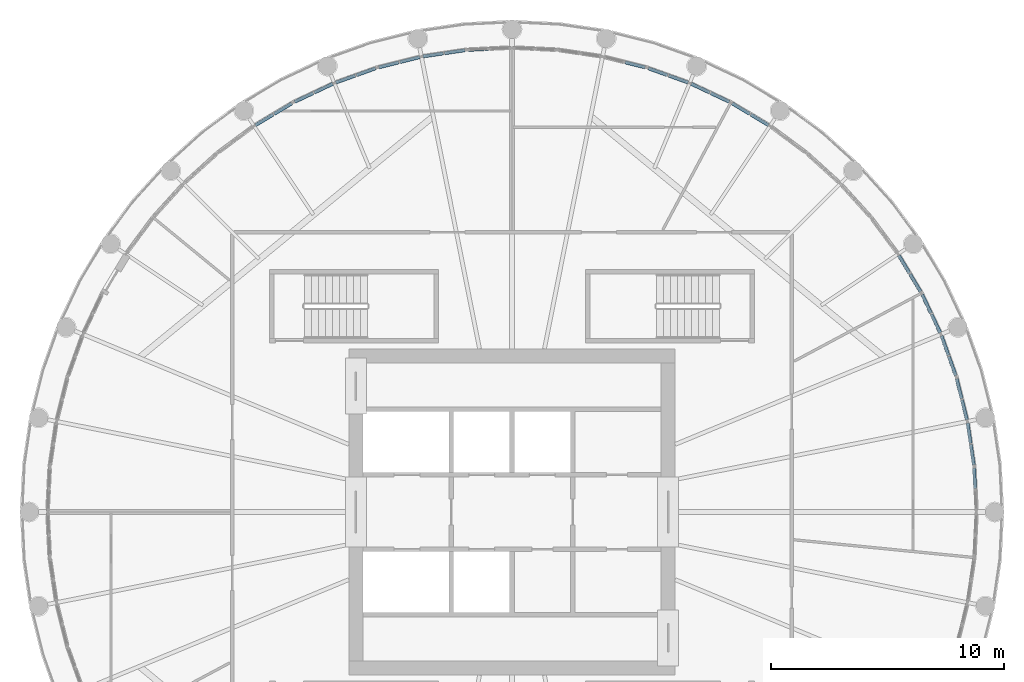
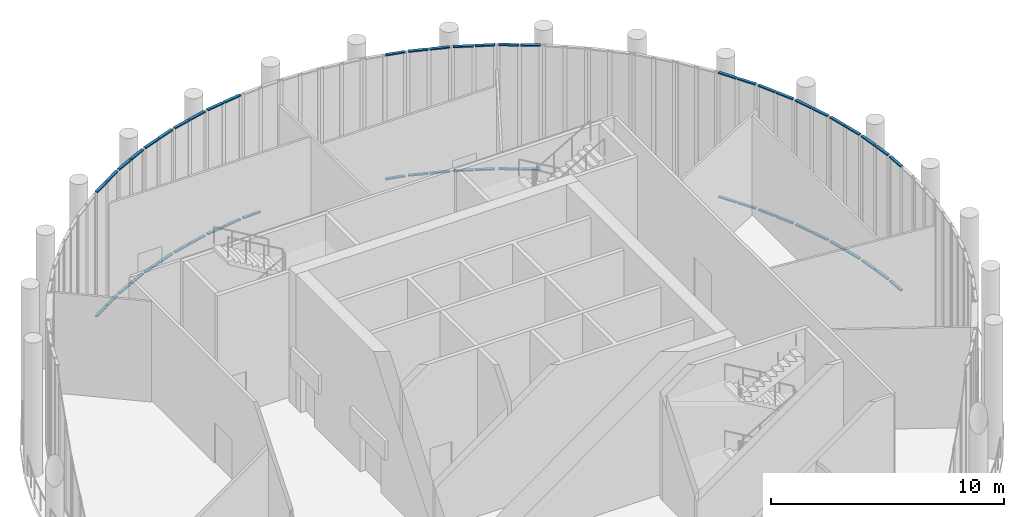
# One storey, part 11 of 21: 57 members, 16 elements without a shape of their own.
"""IFC4 building model written with IfcOpenShell, lengths in metres."""

from ifc_helpers import new_model, si_unit, direction, frame, origin, origin_2d, place, context, subcontext, project, spatial, rectangle, extrude, material, material_profile, profile_set, type_object, element, aggregate, save


model = new_model("IFC4")

# Units and contexts
model_context = context("Model", 3, precision=1e-05, world=origin(), true_north=direction((0.0, 1.0)))
body_context = subcontext(model_context, "Body", "Model", "MODEL_VIEW")
ifc_project = project(units=[si_unit("LENGTHUNIT", "METRE"), si_unit("AREAUNIT", "SQUARE_METRE"), si_unit("VOLUMEUNIT", "CUBIC_METRE"), si_unit("PLANEANGLEUNIT", "RADIAN"), si_unit("MASSUNIT", "GRAM", prefix="KILO")], contexts=[model_context])

# Site, building, storey
site_placement = place(None, origin())
site = spatial("IfcSite", under=ifc_project, at=site_placement, CompositionType="ELEMENT")
building_placement = place(site_placement, origin())
building = spatial("IfcBuilding", under=site, at=building_placement, Name="Corvane Civic Tower", CompositionType="ELEMENT")
storey_placement = place(building_placement, frame((0.0, 0.0, 380.5)))
storey = spatial("IfcBuildingStorey", under=building, at=storey_placement, Name="L91", CompositionType="ELEMENT", Elevation=380.5)

# Curtain wall, member
ifc_material_1 = material(Name="Aluminium and glass", Category="aluminium")
curtain_wall_type = type_object("IfcCurtainWallType", Name="CROWN-CW-O-RUN", PredefinedType="NOTDEFINED", material=ifc_material_1)
curtain_wall_1_placement = place(storey_placement, origin())
curtain_wall_1 = element("IfcCurtainWall", 1, at=curtain_wall_1_placement, inside=storey, type_object=curtain_wall_type, Name="CW-O run L91 1", PredefinedType="NOTDEFINED")
ifc_material_2 = material(Name="Anodised aluminium bronze", Category="aluminium")
ifc_material_profile = material_profile(ifc_material_2, rectangle(XDim=0.139892578125, YDim=0.06005859375, at=origin_2d()), Name="AL 140x60")
ifc_profile_set = profile_set([ifc_material_profile], Name="Anodised aluminium bronze")
member_type = type_object("IfcMemberType", Name="CROWN-CWO-TRANSOM-60x140", PredefinedType="USERDEFINED", material=ifc_profile_set)
member_1_placement = place(storey_placement, frame((-1.005859375, 19.860595703125, 0.030029296875), z_axis=(-0.998797339575, -0.04902932242, 0.0), x_axis=(0.04902932242, -0.998797339575, 0.0)))
member_1 = element("IfcMember", 2, at=member_1_placement, type_object=member_type, Name="CW-O transom 2.1", ObjectType="TRANSOM", PredefinedType="USERDEFINED", context=body_context, shape_type="SweptSolid", body=[
    extrude(rectangle(XDim=0.139892578125, YDim=0.06005859375, at=origin_2d()), origin(), (0.0, 0.0, 1.0), 0.871337890625),
])
aggregate(curtain_wall_1, [member_1])

# Curtain wall, members
curtain_wall_2_placement = place(storey_placement, origin())
curtain_wall_2 = element("IfcCurtainWall", 3, at=curtain_wall_2_placement, inside=storey, type_object=curtain_wall_type, Name="CW-O run L91 2", PredefinedType="NOTDEFINED")
member_2_placement = place(storey_placement, frame((-2.0263671875, 19.802978515625, 0.030029296875), z_axis=(-0.989161295103, -0.146833008112, 0.0), x_axis=(0.146833008112, -0.989161295103, 0.0)))
member_2 = element("IfcMember", 4, at=member_2_placement, type_object=member_type, Name="CW-O transom 1.1", ObjectType="TRANSOM", PredefinedType="USERDEFINED", context=body_context, shape_type="SweptSolid", body=[
    extrude(rectangle(XDim=0.139892578125, YDim=0.06005859375, at=origin_2d()), origin(), (0.0, 0.0, 1.0), 0.871337890625),
])
member_3_placement = place(storey_placement, frame((-2.0263671875, 19.802978515625, 6.52001953125), z_axis=(-0.989161295103, -0.146833008112, 0.0), x_axis=(0.146833008112, -0.989161295103, 0.0)))
member_3 = element("IfcMember", 5, at=member_3_placement, type_object=member_type, Name="CW-O transom 1.2", ObjectType="TRANSOM", PredefinedType="USERDEFINED", context=body_context, shape_type="SweptSolid", body=[
    extrude(rectangle(XDim=0.139892578125, YDim=0.06005859375, at=origin_2d()), origin(), (0.0, 0.0, 1.0), 0.871337890625),
])
member_4_placement = place(storey_placement, frame((-2.947509765625, 19.666259765625, 0.030029296875), z_axis=(-0.989167334022, -0.146792320314, 0.0), x_axis=(0.146792320314, -0.989167334022, 0.0)))
member_4 = element("IfcMember", 6, at=member_4_placement, type_object=member_type, Name="CW-O transom 2.1", ObjectType="TRANSOM", PredefinedType="USERDEFINED", context=body_context, shape_type="SweptSolid", body=[
    extrude(rectangle(XDim=0.139892578125, YDim=0.06005859375, at=origin_2d()), origin(), (0.0, 0.0, 1.0), 0.87158203125),
])
member_5_placement = place(storey_placement, frame((-2.947509765625, 19.666259765625, 6.52001953125), z_axis=(-0.989167334022, -0.146792320314, 0.0), x_axis=(0.146792320314, -0.989167334022, 0.0)))
member_5 = element("IfcMember", 7, at=member_5_placement, type_object=member_type, Name="CW-O transom 2.2", ObjectType="TRANSOM", PredefinedType="USERDEFINED", context=body_context, shape_type="SweptSolid", body=[
    extrude(rectangle(XDim=0.139892578125, YDim=0.06005859375, at=origin_2d()), origin(), (0.0, 0.0, 1.0), 0.87158203125),
])
aggregate(curtain_wall_2, [member_2, member_3, member_4, member_5])

curtain_wall_3_placement = place(storey_placement, origin())
curtain_wall_3 = element("IfcCurtainWall", 8, at=curtain_wall_3_placement, inside=storey, type_object=curtain_wall_type, Name="CW-O run L91 3", PredefinedType="NOTDEFINED")
member_6_placement = place(storey_placement, frame((-3.95751953125, 19.509033203125, 0.030029296875), z_axis=(-0.970043526285, -0.242931177727, 0.0), x_axis=(0.242931177727, -0.970043526285, 0.0)))
member_6 = element("IfcMember", 9, at=member_6_placement, type_object=member_type, Name="CW-O transom 1.1", ObjectType="TRANSOM", PredefinedType="USERDEFINED", context=body_context, shape_type="SweptSolid", body=[
    extrude(rectangle(XDim=0.139892578125, YDim=0.06005859375, at=origin_2d()), origin(), (0.0, 0.0, 1.0), 0.871337890625),
])
member_7_placement = place(storey_placement, frame((-3.95751953125, 19.509033203125, 6.52001953125), z_axis=(-0.970043526285, -0.242931177727, 0.0), x_axis=(0.242931177727, -0.970043526285, 0.0)))
member_7 = element("IfcMember", 10, at=member_7_placement, type_object=member_type, Name="CW-O transom 1.2", ObjectType="TRANSOM", PredefinedType="USERDEFINED", context=body_context, shape_type="SweptSolid", body=[
    extrude(rectangle(XDim=0.139892578125, YDim=0.06005859375, at=origin_2d()), origin(), (0.0, 0.0, 1.0), 0.871337890625),
])
member_8_placement = place(storey_placement, frame((-4.861083984375, 19.28271484375, 0.030029296875), z_axis=(-0.970043526285, -0.242931177727, 0.0), x_axis=(0.242931177727, -0.970043526285, 0.0)))
member_8 = element("IfcMember", 11, at=member_8_placement, type_object=member_type, Name="CW-O transom 2.1", ObjectType="TRANSOM", PredefinedType="USERDEFINED", context=body_context, shape_type="SweptSolid", body=[
    extrude(rectangle(XDim=0.139892578125, YDim=0.06005859375, at=origin_2d()), origin(), (0.0, 0.0, 1.0), 0.871337890625),
])
member_9_placement = place(storey_placement, frame((-4.861083984375, 19.28271484375, 6.52001953125), z_axis=(-0.970043526285, -0.242931177727, 0.0), x_axis=(0.242931177727, -0.970043526285, 0.0)))
member_9 = element("IfcMember", 12, at=member_9_placement, type_object=member_type, Name="CW-O transom 2.2", ObjectType="TRANSOM", PredefinedType="USERDEFINED", context=body_context, shape_type="SweptSolid", body=[
    extrude(rectangle(XDim=0.139892578125, YDim=0.06005859375, at=origin_2d()), origin(), (0.0, 0.0, 1.0), 0.871337890625),
])
aggregate(curtain_wall_3, [member_6, member_7, member_8, member_9])

curtain_wall_4_placement = place(storey_placement, origin())
curtain_wall_4 = element("IfcCurtainWall", 13, at=curtain_wall_4_placement, inside=storey, type_object=curtain_wall_type, Name="CW-O run L91 4", PredefinedType="NOTDEFINED")
member_10_placement = place(storey_placement, frame((-5.8505859375, 19.027099609375, 0.030029296875), z_axis=(-0.94159604188, -0.336744552913, 0.0), x_axis=(0.336744552913, -0.94159604188, 0.0)))
member_10 = element("IfcMember", 14, at=member_10_placement, type_object=member_type, Name="CW-O transom 1.1", ObjectType="TRANSOM", PredefinedType="USERDEFINED", context=body_context, shape_type="SweptSolid", body=[
    extrude(rectangle(XDim=0.139892578125, YDim=0.06005859375, at=origin_2d()), origin(), (0.0, 0.0, 1.0), 0.871337890625),
])
member_11_placement = place(storey_placement, frame((-5.8505859375, 19.027099609375, 6.52001953125), z_axis=(-0.94159604188, -0.336744552913, 0.0), x_axis=(0.336744552913, -0.94159604188, 0.0)))
member_11 = element("IfcMember", 15, at=member_11_placement, type_object=member_type, Name="CW-O transom 1.2", ObjectType="TRANSOM", PredefinedType="USERDEFINED", context=body_context, shape_type="SweptSolid", body=[
    extrude(rectangle(XDim=0.139892578125, YDim=0.06005859375, at=origin_2d()), origin(), (0.0, 0.0, 1.0), 0.871337890625),
])
member_12_placement = place(storey_placement, frame((-6.7275390625, 18.71337890625, 0.030029296875), z_axis=(-0.941475362165, -0.337081803775, 0.0), x_axis=(0.337081803775, -0.941475362165, 0.0)))
member_12 = element("IfcMember", 16, at=member_12_placement, type_object=member_type, Name="CW-O transom 2.1", ObjectType="TRANSOM", PredefinedType="USERDEFINED", context=body_context, shape_type="SweptSolid", body=[
    extrude(rectangle(XDim=0.139892578125, YDim=0.06005859375, at=origin_2d()), origin(), (0.0, 0.0, 1.0), 0.871337890625),
])
member_13_placement = place(storey_placement, frame((-6.7275390625, 18.71337890625, 6.52001953125), z_axis=(-0.941475362165, -0.337081803775, 0.0), x_axis=(0.337081803775, -0.941475362165, 0.0)))
member_13 = element("IfcMember", 17, at=member_13_placement, type_object=member_type, Name="CW-O transom 2.2", ObjectType="TRANSOM", PredefinedType="USERDEFINED", context=body_context, shape_type="SweptSolid", body=[
    extrude(rectangle(XDim=0.139892578125, YDim=0.06005859375, at=origin_2d()), origin(), (0.0, 0.0, 1.0), 0.871337890625),
])
aggregate(curtain_wall_4, [member_10, member_11, member_12, member_13])

curtain_wall_5_placement = place(storey_placement, origin())
curtain_wall_5 = element("IfcCurtainWall", 18, at=curtain_wall_5_placement, inside=storey, type_object=curtain_wall_type, Name="CW-O run L91 5", PredefinedType="NOTDEFINED")
member_14_placement = place(storey_placement, frame((-7.6875, 18.362060546875, 0.030029296875), z_axis=(-0.903965937938, -0.427604470333, 0.0), x_axis=(0.427604470333, -0.903965937938, 0.0)))
member_14 = element("IfcMember", 19, at=member_14_placement, type_object=member_type, Name="CW-O transom 1.1", ObjectType="TRANSOM", PredefinedType="USERDEFINED", context=body_context, shape_type="SweptSolid", body=[
    extrude(rectangle(XDim=0.139892578125, YDim=0.06005859375, at=origin_2d()), origin(), (0.0, 0.0, 1.0), 0.871337890625),
])
member_15_placement = place(storey_placement, frame((-7.6875, 18.362060546875, 6.52001953125), z_axis=(-0.903965937938, -0.427604470333, 0.0), x_axis=(0.427604470333, -0.903965937938, 0.0)))
member_15 = element("IfcMember", 20, at=member_15_placement, type_object=member_type, Name="CW-O transom 1.2", ObjectType="TRANSOM", PredefinedType="USERDEFINED", context=body_context, shape_type="SweptSolid", body=[
    extrude(rectangle(XDim=0.139892578125, YDim=0.06005859375, at=origin_2d()), origin(), (0.0, 0.0, 1.0), 0.871337890625),
])
member_16_placement = place(storey_placement, frame((-8.529541015625, 17.9638671875, 0.030029296875), z_axis=(-0.903965937938, -0.427604470333, 0.0), x_axis=(0.427604470333, -0.903965937938, 0.0)))
member_16 = element("IfcMember", 21, at=member_16_placement, type_object=member_type, Name="CW-O transom 2.1", ObjectType="TRANSOM", PredefinedType="USERDEFINED", context=body_context, shape_type="SweptSolid", body=[
    extrude(rectangle(XDim=0.139892578125, YDim=0.06005859375, at=origin_2d()), origin(), (0.0, 0.0, 1.0), 0.871337890625),
])
member_17_placement = place(storey_placement, frame((-8.529541015625, 17.9638671875, 6.52001953125), z_axis=(-0.903965937938, -0.427604470333, 0.0), x_axis=(0.427604470333, -0.903965937938, 0.0)))
member_17 = element("IfcMember", 22, at=member_17_placement, type_object=member_type, Name="CW-O transom 2.2", ObjectType="TRANSOM", PredefinedType="USERDEFINED", context=body_context, shape_type="SweptSolid", body=[
    extrude(rectangle(XDim=0.139892578125, YDim=0.06005859375, at=origin_2d()), origin(), (0.0, 0.0, 1.0), 0.871337890625),
])
aggregate(curtain_wall_5, [member_14, member_15, member_16, member_17])

curtain_wall_6_placement = place(storey_placement, origin())
curtain_wall_6 = element("IfcCurtainWall", 23, at=curtain_wall_6_placement, inside=storey, type_object=curtain_wall_type, Name="CW-O run L91 6", PredefinedType="NOTDEFINED")
member_18_placement = place(storey_placement, frame((-9.450439453125, 17.520263671875, 0.030029296875), z_axis=(-0.857690650227, -0.514166070946, 0.0), x_axis=(0.514166070946, -0.857690650227, 0.0)))
member_18 = element("IfcMember", 24, at=member_18_placement, type_object=member_type, Name="CW-O transom 1.1", ObjectType="TRANSOM", PredefinedType="USERDEFINED", context=body_context, shape_type="SweptSolid", body=[
    extrude(rectangle(XDim=0.139892578125, YDim=0.06005859375, at=origin_2d()), origin(), (0.0, 0.0, 1.0), 0.871337890625),
])
member_19_placement = place(storey_placement, frame((-9.450439453125, 17.520263671875, 6.52001953125), z_axis=(-0.857690650227, -0.514166070946, 0.0), x_axis=(0.514166070946, -0.857690650227, 0.0)))
member_19 = element("IfcMember", 25, at=member_19_placement, type_object=member_type, Name="CW-O transom 1.2", ObjectType="TRANSOM", PredefinedType="USERDEFINED", context=body_context, shape_type="SweptSolid", body=[
    extrude(rectangle(XDim=0.139892578125, YDim=0.06005859375, at=origin_2d()), origin(), (0.0, 0.0, 1.0), 0.871337890625),
])
member_20_placement = place(storey_placement, frame((-10.2490234375, 17.041259765625, 0.030029296875), z_axis=(-0.857690650227, -0.514166070946, 0.0), x_axis=(0.514166070946, -0.857690650227, 0.0)))
member_20 = element("IfcMember", 26, at=member_20_placement, type_object=member_type, Name="CW-O transom 2.1", ObjectType="TRANSOM", PredefinedType="USERDEFINED", context=body_context, shape_type="SweptSolid", body=[
    extrude(rectangle(XDim=0.139892578125, YDim=0.06005859375, at=origin_2d()), origin(), (0.0, 0.0, 1.0), 0.871337890625),
])
member_21_placement = place(storey_placement, frame((-10.2490234375, 17.041259765625, 6.52001953125), z_axis=(-0.857690650227, -0.514166070946, 0.0), x_axis=(0.514166070946, -0.857690650227, 0.0)))
member_21 = element("IfcMember", 27, at=member_21_placement, type_object=member_type, Name="CW-O transom 2.2", ObjectType="TRANSOM", PredefinedType="USERDEFINED", context=body_context, shape_type="SweptSolid", body=[
    extrude(rectangle(XDim=0.139892578125, YDim=0.06005859375, at=origin_2d()), origin(), (0.0, 0.0, 1.0), 0.871337890625),
])
aggregate(curtain_wall_6, [member_18, member_19, member_20, member_21])

curtain_wall_7_placement = place(storey_placement, origin())
curtain_wall_7 = element("IfcCurtainWall", 28, at=curtain_wall_7_placement, inside=storey, type_object=curtain_wall_type, Name="CW-O run L91 49", PredefinedType="NOTDEFINED")
member_22_placement = place(storey_placement, frame((19.860595703125, 1.005859375, 0.030029296875), z_axis=(-0.04902932242, 0.998797339575, 0.0), x_axis=(-0.998797339575, -0.04902932242, 0.0)))
member_22 = element("IfcMember", 29, at=member_22_placement, type_object=member_type, Name="CW-O transom 2.1", ObjectType="TRANSOM", PredefinedType="USERDEFINED", context=body_context, shape_type="SweptSolid", body=[
    extrude(rectangle(XDim=0.139892578125, YDim=0.06005859375, at=origin_2d()), origin(), (0.0, 0.0, 1.0), 0.871337890625),
])
member_23_placement = place(storey_placement, frame((19.860595703125, 1.005859375, 6.52001953125), z_axis=(-0.04902932242, 0.998797339575, 0.0), x_axis=(-0.998797339575, -0.04902932242, 0.0)))
member_23 = element("IfcMember", 30, at=member_23_placement, type_object=member_type, Name="CW-O transom 2.2", ObjectType="TRANSOM", PredefinedType="USERDEFINED", context=body_context, shape_type="SweptSolid", body=[
    extrude(rectangle(XDim=0.139892578125, YDim=0.06005859375, at=origin_2d()), origin(), (0.0, 0.0, 1.0), 0.871337890625),
])
aggregate(curtain_wall_7, [member_22, member_23])

curtain_wall_8_placement = place(storey_placement, origin())
curtain_wall_8 = element("IfcCurtainWall", 31, at=curtain_wall_8_placement, inside=storey, type_object=curtain_wall_type, Name="CW-O run L91 50", PredefinedType="NOTDEFINED")
member_24_placement = place(storey_placement, frame((19.802978515625, 2.0263671875, 0.030029296875), z_axis=(-0.146833008112, 0.989161295103, 0.0), x_axis=(-0.989161295103, -0.146833008112, 0.0)))
member_24 = element("IfcMember", 32, at=member_24_placement, type_object=member_type, Name="CW-O transom 1.1", ObjectType="TRANSOM", PredefinedType="USERDEFINED", context=body_context, shape_type="SweptSolid", body=[
    extrude(rectangle(XDim=0.139892578125, YDim=0.06005859375, at=origin_2d()), origin(), (0.0, 0.0, 1.0), 0.871337890625),
])
member_25_placement = place(storey_placement, frame((19.802978515625, 2.0263671875, 6.52001953125), z_axis=(-0.146833008112, 0.989161295103, 0.0), x_axis=(-0.989161295103, -0.146833008112, 0.0)))
member_25 = element("IfcMember", 33, at=member_25_placement, type_object=member_type, Name="CW-O transom 1.2", ObjectType="TRANSOM", PredefinedType="USERDEFINED", context=body_context, shape_type="SweptSolid", body=[
    extrude(rectangle(XDim=0.139892578125, YDim=0.06005859375, at=origin_2d()), origin(), (0.0, 0.0, 1.0), 0.871337890625),
])
member_26_placement = place(storey_placement, frame((19.666259765625, 2.947509765625, 0.030029296875), z_axis=(-0.146792320314, 0.989167334022, 0.0), x_axis=(-0.989167334022, -0.146792320314, 0.0)))
member_26 = element("IfcMember", 34, at=member_26_placement, type_object=member_type, Name="CW-O transom 2.1", ObjectType="TRANSOM", PredefinedType="USERDEFINED", context=body_context, shape_type="SweptSolid", body=[
    extrude(rectangle(XDim=0.139892578125, YDim=0.06005859375, at=origin_2d()), origin(), (0.0, 0.0, 1.0), 0.87158203125),
])
member_27_placement = place(storey_placement, frame((19.666259765625, 2.947509765625, 6.52001953125), z_axis=(-0.146792320314, 0.989167334022, 0.0), x_axis=(-0.989167334022, -0.146792320314, 0.0)))
member_27 = element("IfcMember", 35, at=member_27_placement, type_object=member_type, Name="CW-O transom 2.2", ObjectType="TRANSOM", PredefinedType="USERDEFINED", context=body_context, shape_type="SweptSolid", body=[
    extrude(rectangle(XDim=0.139892578125, YDim=0.06005859375, at=origin_2d()), origin(), (0.0, 0.0, 1.0), 0.87158203125),
])
aggregate(curtain_wall_8, [member_24, member_25, member_26, member_27])

curtain_wall_9_placement = place(storey_placement, origin())
curtain_wall_9 = element("IfcCurtainWall", 36, at=curtain_wall_9_placement, inside=storey, type_object=curtain_wall_type, Name="CW-O run L91 51", PredefinedType="NOTDEFINED")
member_28_placement = place(storey_placement, frame((19.509033203125, 3.95751953125, 0.030029296875), z_axis=(-0.242931177727, 0.970043526285, 0.0), x_axis=(-0.970043526285, -0.242931177727, 0.0)))
member_28 = element("IfcMember", 37, at=member_28_placement, type_object=member_type, Name="CW-O transom 1.1", ObjectType="TRANSOM", PredefinedType="USERDEFINED", context=body_context, shape_type="SweptSolid", body=[
    extrude(rectangle(XDim=0.139892578125, YDim=0.06005859375, at=origin_2d()), origin(), (0.0, 0.0, 1.0), 0.871337890625),
])
member_29_placement = place(storey_placement, frame((19.509033203125, 3.95751953125, 6.52001953125), z_axis=(-0.242931177727, 0.970043526285, 0.0), x_axis=(-0.970043526285, -0.242931177727, 0.0)))
member_29 = element("IfcMember", 38, at=member_29_placement, type_object=member_type, Name="CW-O transom 1.2", ObjectType="TRANSOM", PredefinedType="USERDEFINED", context=body_context, shape_type="SweptSolid", body=[
    extrude(rectangle(XDim=0.139892578125, YDim=0.06005859375, at=origin_2d()), origin(), (0.0, 0.0, 1.0), 0.871337890625),
])
member_30_placement = place(storey_placement, frame((19.28271484375, 4.861083984375, 0.030029296875), z_axis=(-0.242931177727, 0.970043526285, 0.0), x_axis=(-0.970043526285, -0.242931177727, 0.0)))
member_30 = element("IfcMember", 39, at=member_30_placement, type_object=member_type, Name="CW-O transom 2.1", ObjectType="TRANSOM", PredefinedType="USERDEFINED", context=body_context, shape_type="SweptSolid", body=[
    extrude(rectangle(XDim=0.139892578125, YDim=0.06005859375, at=origin_2d()), origin(), (0.0, 0.0, 1.0), 0.871337890625),
])
member_31_placement = place(storey_placement, frame((19.28271484375, 4.861083984375, 6.52001953125), z_axis=(-0.242931177727, 0.970043526285, 0.0), x_axis=(-0.970043526285, -0.242931177727, 0.0)))
member_31 = element("IfcMember", 40, at=member_31_placement, type_object=member_type, Name="CW-O transom 2.2", ObjectType="TRANSOM", PredefinedType="USERDEFINED", context=body_context, shape_type="SweptSolid", body=[
    extrude(rectangle(XDim=0.139892578125, YDim=0.06005859375, at=origin_2d()), origin(), (0.0, 0.0, 1.0), 0.871337890625),
])
aggregate(curtain_wall_9, [member_28, member_29, member_30, member_31])

curtain_wall_10_placement = place(storey_placement, origin())
curtain_wall_10 = element("IfcCurtainWall", 41, at=curtain_wall_10_placement, inside=storey, type_object=curtain_wall_type, Name="CW-O run L91 52", PredefinedType="NOTDEFINED")
member_32_placement = place(storey_placement, frame((19.027099609375, 5.8505859375, 0.030029296875), z_axis=(-0.336744552913, 0.94159604188, 0.0), x_axis=(-0.94159604188, -0.336744552913, 0.0)))
member_32 = element("IfcMember", 42, at=member_32_placement, type_object=member_type, Name="CW-O transom 1.1", ObjectType="TRANSOM", PredefinedType="USERDEFINED", context=body_context, shape_type="SweptSolid", body=[
    extrude(rectangle(XDim=0.139892578125, YDim=0.06005859375, at=origin_2d()), origin(), (0.0, 0.0, 1.0), 0.871337890625),
])
member_33_placement = place(storey_placement, frame((19.027099609375, 5.8505859375, 6.52001953125), z_axis=(-0.336744552913, 0.94159604188, 0.0), x_axis=(-0.94159604188, -0.336744552913, 0.0)))
member_33 = element("IfcMember", 43, at=member_33_placement, type_object=member_type, Name="CW-O transom 1.2", ObjectType="TRANSOM", PredefinedType="USERDEFINED", context=body_context, shape_type="SweptSolid", body=[
    extrude(rectangle(XDim=0.139892578125, YDim=0.06005859375, at=origin_2d()), origin(), (0.0, 0.0, 1.0), 0.871337890625),
])
member_34_placement = place(storey_placement, frame((18.71337890625, 6.7275390625, 0.030029296875), z_axis=(-0.337081803775, 0.941475362165, 0.0), x_axis=(-0.941475362165, -0.337081803775, 0.0)))
member_34 = element("IfcMember", 44, at=member_34_placement, type_object=member_type, Name="CW-O transom 2.1", ObjectType="TRANSOM", PredefinedType="USERDEFINED", context=body_context, shape_type="SweptSolid", body=[
    extrude(rectangle(XDim=0.139892578125, YDim=0.06005859375, at=origin_2d()), origin(), (0.0, 0.0, 1.0), 0.871337890625),
])
member_35_placement = place(storey_placement, frame((18.71337890625, 6.7275390625, 6.52001953125), z_axis=(-0.337081803775, 0.941475362165, 0.0), x_axis=(-0.941475362165, -0.337081803775, 0.0)))
member_35 = element("IfcMember", 45, at=member_35_placement, type_object=member_type, Name="CW-O transom 2.2", ObjectType="TRANSOM", PredefinedType="USERDEFINED", context=body_context, shape_type="SweptSolid", body=[
    extrude(rectangle(XDim=0.139892578125, YDim=0.06005859375, at=origin_2d()), origin(), (0.0, 0.0, 1.0), 0.871337890625),
])
aggregate(curtain_wall_10, [member_32, member_33, member_34, member_35])

curtain_wall_11_placement = place(storey_placement, origin())
curtain_wall_11 = element("IfcCurtainWall", 46, at=curtain_wall_11_placement, inside=storey, type_object=curtain_wall_type, Name="CW-O run L91 53", PredefinedType="NOTDEFINED")
member_36_placement = place(storey_placement, frame((18.362060546875, 7.6875, 0.030029296875), z_axis=(-0.427604470333, 0.903965937938, 0.0), x_axis=(-0.903965937938, -0.427604470333, 0.0)))
member_36 = element("IfcMember", 47, at=member_36_placement, type_object=member_type, Name="CW-O transom 1.1", ObjectType="TRANSOM", PredefinedType="USERDEFINED", context=body_context, shape_type="SweptSolid", body=[
    extrude(rectangle(XDim=0.139892578125, YDim=0.06005859375, at=origin_2d()), origin(), (0.0, 0.0, 1.0), 0.871337890625),
])
member_37_placement = place(storey_placement, frame((18.362060546875, 7.6875, 6.52001953125), z_axis=(-0.427604470333, 0.903965937938, 0.0), x_axis=(-0.903965937938, -0.427604470333, 0.0)))
member_37 = element("IfcMember", 48, at=member_37_placement, type_object=member_type, Name="CW-O transom 1.2", ObjectType="TRANSOM", PredefinedType="USERDEFINED", context=body_context, shape_type="SweptSolid", body=[
    extrude(rectangle(XDim=0.139892578125, YDim=0.06005859375, at=origin_2d()), origin(), (0.0, 0.0, 1.0), 0.871337890625),
])
member_38_placement = place(storey_placement, frame((17.9638671875, 8.529541015625, 0.030029296875), z_axis=(-0.427604470333, 0.903965937938, 0.0), x_axis=(-0.903965937938, -0.427604470333, 0.0)))
member_38 = element("IfcMember", 49, at=member_38_placement, type_object=member_type, Name="CW-O transom 2.1", ObjectType="TRANSOM", PredefinedType="USERDEFINED", context=body_context, shape_type="SweptSolid", body=[
    extrude(rectangle(XDim=0.139892578125, YDim=0.06005859375, at=origin_2d()), origin(), (0.0, 0.0, 1.0), 0.871337890625),
])
member_39_placement = place(storey_placement, frame((17.9638671875, 8.529541015625, 6.52001953125), z_axis=(-0.427604470333, 0.903965937938, 0.0), x_axis=(-0.903965937938, -0.427604470333, 0.0)))
member_39 = element("IfcMember", 50, at=member_39_placement, type_object=member_type, Name="CW-O transom 2.2", ObjectType="TRANSOM", PredefinedType="USERDEFINED", context=body_context, shape_type="SweptSolid", body=[
    extrude(rectangle(XDim=0.139892578125, YDim=0.06005859375, at=origin_2d()), origin(), (0.0, 0.0, 1.0), 0.871337890625),
])
aggregate(curtain_wall_11, [member_36, member_37, member_38, member_39])

curtain_wall_12_placement = place(storey_placement, origin())
curtain_wall_12 = element("IfcCurtainWall", 51, at=curtain_wall_12_placement, inside=storey, type_object=curtain_wall_type, Name="CW-O run L91 54", PredefinedType="NOTDEFINED")
member_40_placement = place(storey_placement, frame((17.520263671875, 9.450439453125, 0.030029296875), z_axis=(-0.514166070946, 0.857690650227, 0.0), x_axis=(-0.857690650227, -0.514166070946, 0.0)))
member_40 = element("IfcMember", 52, at=member_40_placement, type_object=member_type, Name="CW-O transom 1.1", ObjectType="TRANSOM", PredefinedType="USERDEFINED", context=body_context, shape_type="SweptSolid", body=[
    extrude(rectangle(XDim=0.139892578125, YDim=0.06005859375, at=origin_2d()), origin(), (0.0, 0.0, 1.0), 0.871337890625),
])
member_41_placement = place(storey_placement, frame((17.520263671875, 9.450439453125, 6.52001953125), z_axis=(-0.514166070946, 0.857690650227, 0.0), x_axis=(-0.857690650227, -0.514166070946, 0.0)))
member_41 = element("IfcMember", 53, at=member_41_placement, type_object=member_type, Name="CW-O transom 1.2", ObjectType="TRANSOM", PredefinedType="USERDEFINED", context=body_context, shape_type="SweptSolid", body=[
    extrude(rectangle(XDim=0.139892578125, YDim=0.06005859375, at=origin_2d()), origin(), (0.0, 0.0, 1.0), 0.871337890625),
])
member_42_placement = place(storey_placement, frame((17.041259765625, 10.2490234375, 0.030029296875), z_axis=(-0.514166070946, 0.857690650227, 0.0), x_axis=(-0.857690650227, -0.514166070946, 0.0)))
member_42 = element("IfcMember", 54, at=member_42_placement, type_object=member_type, Name="CW-O transom 2.1", ObjectType="TRANSOM", PredefinedType="USERDEFINED", context=body_context, shape_type="SweptSolid", body=[
    extrude(rectangle(XDim=0.139892578125, YDim=0.06005859375, at=origin_2d()), origin(), (0.0, 0.0, 1.0), 0.871337890625),
])
member_43_placement = place(storey_placement, frame((17.041259765625, 10.2490234375, 6.52001953125), z_axis=(-0.514166070946, 0.857690650227, 0.0), x_axis=(-0.857690650227, -0.514166070946, 0.0)))
member_43 = element("IfcMember", 55, at=member_43_placement, type_object=member_type, Name="CW-O transom 2.2", ObjectType="TRANSOM", PredefinedType="USERDEFINED", context=body_context, shape_type="SweptSolid", body=[
    extrude(rectangle(XDim=0.139892578125, YDim=0.06005859375, at=origin_2d()), origin(), (0.0, 0.0, 1.0), 0.871337890625),
])
aggregate(curtain_wall_12, [member_40, member_41, member_42, member_43])

curtain_wall_13_placement = place(storey_placement, origin())
curtain_wall_13 = element("IfcCurtainWall", 56, at=curtain_wall_13_placement, inside=storey, type_object=curtain_wall_type, Name="CW-O run L91 59", PredefinedType="NOTDEFINED")
member_44_placement = place(storey_placement, frame((10.996337890625, 16.59326171875, 0.030029296875), z_axis=(-0.857690650227, 0.514166070946, 0.0), x_axis=(-0.514166070946, -0.857690650227, 0.0)))
member_44 = element("IfcMember", 57, at=member_44_placement, type_object=member_type, Name="CW-O transom 1.1", ObjectType="TRANSOM", PredefinedType="USERDEFINED", context=body_context, shape_type="SweptSolid", body=[
    extrude(rectangle(XDim=0.139892578125, YDim=0.06005859375, at=origin_2d()), origin(), (0.0, 0.0, 1.0), 0.871337890625),
])
member_45_placement = place(storey_placement, frame((10.996337890625, 16.59326171875, 6.52001953125), z_axis=(-0.857690650227, 0.514166070946, 0.0), x_axis=(-0.514166070946, -0.857690650227, 0.0)))
member_45 = element("IfcMember", 58, at=member_45_placement, type_object=member_type, Name="CW-O transom 1.2", ObjectType="TRANSOM", PredefinedType="USERDEFINED", context=body_context, shape_type="SweptSolid", body=[
    extrude(rectangle(XDim=0.139892578125, YDim=0.06005859375, at=origin_2d()), origin(), (0.0, 0.0, 1.0), 0.871337890625),
])
member_46_placement = place(storey_placement, frame((10.19775390625, 17.072265625, 0.030029296875), z_axis=(-0.857690650227, 0.514166070946, 0.0), x_axis=(-0.514166070946, -0.857690650227, 0.0)))
member_46 = element("IfcMember", 59, at=member_46_placement, type_object=member_type, Name="CW-O transom 2.1", ObjectType="TRANSOM", PredefinedType="USERDEFINED", context=body_context, shape_type="SweptSolid", body=[
    extrude(rectangle(XDim=0.139892578125, YDim=0.06005859375, at=origin_2d()), origin(), (0.0, 0.0, 1.0), 0.871337890625),
])
member_47_placement = place(storey_placement, frame((10.19775390625, 17.072265625, 6.52001953125), z_axis=(-0.857690650227, 0.514166070946, 0.0), x_axis=(-0.514166070946, -0.857690650227, 0.0)))
member_47 = element("IfcMember", 60, at=member_47_placement, type_object=member_type, Name="CW-O transom 2.2", ObjectType="TRANSOM", PredefinedType="USERDEFINED", context=body_context, shape_type="SweptSolid", body=[
    extrude(rectangle(XDim=0.139892578125, YDim=0.06005859375, at=origin_2d()), origin(), (0.0, 0.0, 1.0), 0.871337890625),
])
aggregate(curtain_wall_13, [member_44, member_45, member_46, member_47])

curtain_wall_14_placement = place(storey_placement, origin())
curtain_wall_14 = element("IfcCurtainWall", 61, at=curtain_wall_14_placement, inside=storey, type_object=curtain_wall_type, Name="CW-O run L91 60", PredefinedType="NOTDEFINED")
member_48_placement = place(storey_placement, frame((9.317138671875, 17.59130859375, 0.030029296875), z_axis=(-0.903965937938, 0.427604470333, 0.0), x_axis=(-0.427604470333, -0.903965937938, 0.0)))
member_48 = element("IfcMember", 62, at=member_48_placement, type_object=member_type, Name="CW-O transom 1.1", ObjectType="TRANSOM", PredefinedType="USERDEFINED", context=body_context, shape_type="SweptSolid", body=[
    extrude(rectangle(XDim=0.139892578125, YDim=0.06005859375, at=origin_2d()), origin(), (0.0, 0.0, 1.0), 0.871337890625),
])
member_49_placement = place(storey_placement, frame((9.317138671875, 17.59130859375, 6.52001953125), z_axis=(-0.903965937938, 0.427604470333, 0.0), x_axis=(-0.427604470333, -0.903965937938, 0.0)))
member_49 = element("IfcMember", 63, at=member_49_placement, type_object=member_type, Name="CW-O transom 1.2", ObjectType="TRANSOM", PredefinedType="USERDEFINED", context=body_context, shape_type="SweptSolid", body=[
    extrude(rectangle(XDim=0.139892578125, YDim=0.06005859375, at=origin_2d()), origin(), (0.0, 0.0, 1.0), 0.871337890625),
])
member_50_placement = place(storey_placement, frame((8.47509765625, 17.989501953125, 0.030029296875), z_axis=(-0.903965937938, 0.427604470333, 0.0), x_axis=(-0.427604470333, -0.903965937938, 0.0)))
member_50 = element("IfcMember", 64, at=member_50_placement, type_object=member_type, Name="CW-O transom 2.1", ObjectType="TRANSOM", PredefinedType="USERDEFINED", context=body_context, shape_type="SweptSolid", body=[
    extrude(rectangle(XDim=0.139892578125, YDim=0.06005859375, at=origin_2d()), origin(), (0.0, 0.0, 1.0), 0.871337890625),
])
member_51_placement = place(storey_placement, frame((8.47509765625, 17.989501953125, 6.52001953125), z_axis=(-0.903965937938, 0.427604470333, 0.0), x_axis=(-0.427604470333, -0.903965937938, 0.0)))
member_51 = element("IfcMember", 65, at=member_51_placement, type_object=member_type, Name="CW-O transom 2.2", ObjectType="TRANSOM", PredefinedType="USERDEFINED", context=body_context, shape_type="SweptSolid", body=[
    extrude(rectangle(XDim=0.139892578125, YDim=0.06005859375, at=origin_2d()), origin(), (0.0, 0.0, 1.0), 0.871337890625),
])
aggregate(curtain_wall_14, [member_48, member_49, member_50, member_51])

curtain_wall_15_placement = place(storey_placement, origin())
curtain_wall_15 = element("IfcCurtainWall", 66, at=curtain_wall_15_placement, inside=storey, type_object=curtain_wall_type, Name="CW-O run L91 61", PredefinedType="NOTDEFINED")
member_52_placement = place(storey_placement, frame((7.5478515625, 18.419677734375, 0.030029296875), z_axis=(-0.941475362165, 0.337081803775, 0.0), x_axis=(-0.337081803775, -0.941475362165, 0.0)))
member_52 = element("IfcMember", 67, at=member_52_placement, type_object=member_type, Name="CW-O transom 1.1", ObjectType="TRANSOM", PredefinedType="USERDEFINED", context=body_context, shape_type="SweptSolid", body=[
    extrude(rectangle(XDim=0.139892578125, YDim=0.06005859375, at=origin_2d()), origin(), (0.0, 0.0, 1.0), 0.871337890625),
])
member_53_placement = place(storey_placement, frame((7.5478515625, 18.419677734375, 6.52001953125), z_axis=(-0.941475362165, 0.337081803775, 0.0), x_axis=(-0.337081803775, -0.941475362165, 0.0)))
member_53 = element("IfcMember", 68, at=member_53_placement, type_object=member_type, Name="CW-O transom 1.2", ObjectType="TRANSOM", PredefinedType="USERDEFINED", context=body_context, shape_type="SweptSolid", body=[
    extrude(rectangle(XDim=0.139892578125, YDim=0.06005859375, at=origin_2d()), origin(), (0.0, 0.0, 1.0), 0.871337890625),
])
member_54_placement = place(storey_placement, frame((6.671142578125, 18.733642578125, 0.030029296875), z_axis=(-0.94159604188, 0.336744552913, 0.0), x_axis=(-0.336744552913, -0.94159604188, 0.0)))
member_54 = element("IfcMember", 69, at=member_54_placement, type_object=member_type, Name="CW-O transom 2.1", ObjectType="TRANSOM", PredefinedType="USERDEFINED", context=body_context, shape_type="SweptSolid", body=[
    extrude(rectangle(XDim=0.139892578125, YDim=0.06005859375, at=origin_2d()), origin(), (0.0, 0.0, 1.0), 0.871337890625),
])
member_55_placement = place(storey_placement, frame((6.671142578125, 18.733642578125, 6.52001953125), z_axis=(-0.94159604188, 0.336744552913, 0.0), x_axis=(-0.336744552913, -0.94159604188, 0.0)))
member_55 = element("IfcMember", 70, at=member_55_placement, type_object=member_type, Name="CW-O transom 2.2", ObjectType="TRANSOM", PredefinedType="USERDEFINED", context=body_context, shape_type="SweptSolid", body=[
    extrude(rectangle(XDim=0.139892578125, YDim=0.06005859375, at=origin_2d()), origin(), (0.0, 0.0, 1.0), 0.871337890625),
])
aggregate(curtain_wall_15, [member_52, member_53, member_54, member_55])

curtain_wall_16_placement = place(storey_placement, origin())
curtain_wall_16 = element("IfcCurtainWall", 71, at=curtain_wall_16_placement, inside=storey, type_object=curtain_wall_type, Name="CW-O run L91 62", PredefinedType="NOTDEFINED")
member_56_placement = place(storey_placement, frame((5.706298828125, 19.071044921875, 0.030029296875), z_axis=(-0.970043526285, 0.242931177727, 0.0), x_axis=(-0.242931177727, -0.970043526285, 0.0)))
member_56 = element("IfcMember", 72, at=member_56_placement, type_object=member_type, Name="CW-O transom 1.1", ObjectType="TRANSOM", PredefinedType="USERDEFINED", context=body_context, shape_type="SweptSolid", body=[
    extrude(rectangle(XDim=0.139892578125, YDim=0.06005859375, at=origin_2d()), origin(), (0.0, 0.0, 1.0), 0.871337890625),
])
member_57_placement = place(storey_placement, frame((5.706298828125, 19.071044921875, 6.52001953125), z_axis=(-0.970043526285, 0.242931177727, 0.0), x_axis=(-0.242931177727, -0.970043526285, 0.0)))
member_57 = element("IfcMember", 73, at=member_57_placement, type_object=member_type, Name="CW-O transom 1.2", ObjectType="TRANSOM", PredefinedType="USERDEFINED", context=body_context, shape_type="SweptSolid", body=[
    extrude(rectangle(XDim=0.139892578125, YDim=0.06005859375, at=origin_2d()), origin(), (0.0, 0.0, 1.0), 0.871337890625),
])
aggregate(curtain_wall_16, [member_56, member_57])

save(model, "model.ifc")
